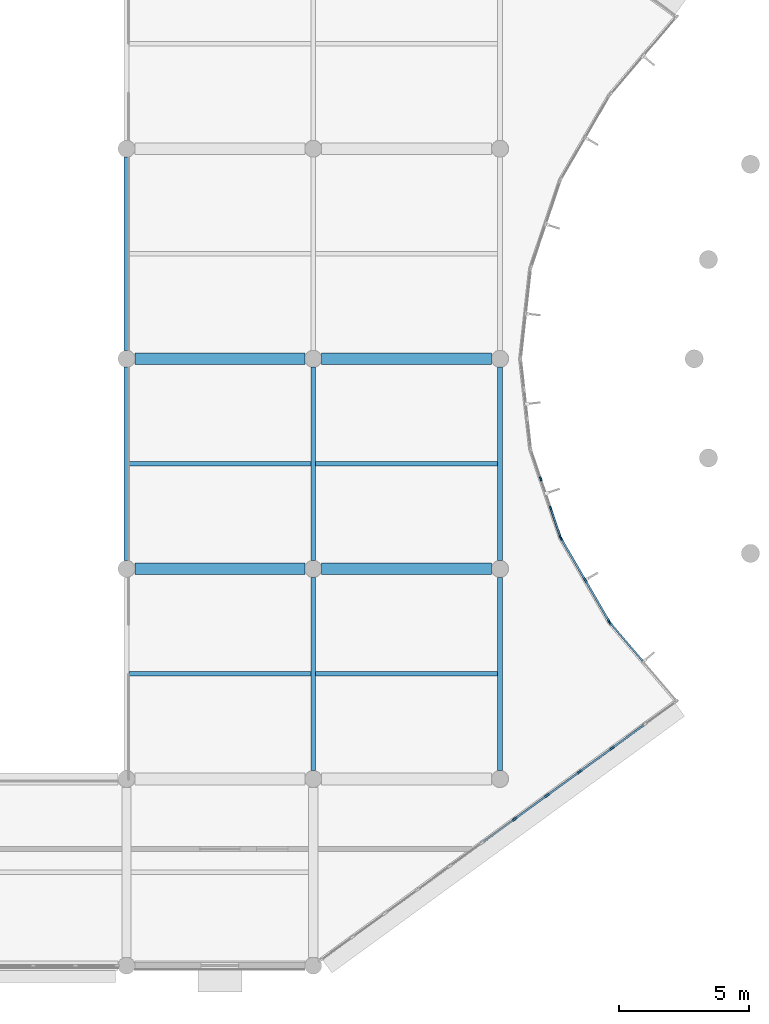
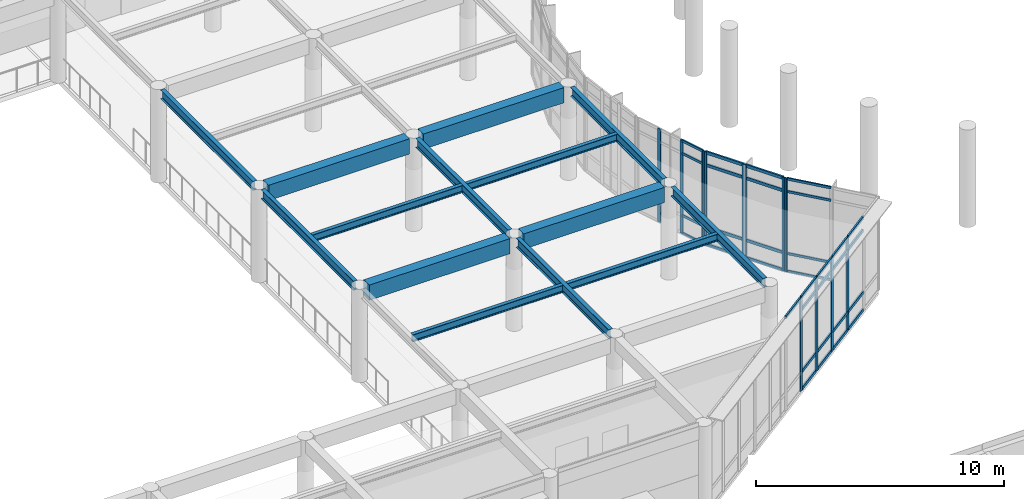
# One storey, part 9 of 92: 44 members, 14 beams, 4 elements without a shape of their own.
"""IFC4 building model written with IfcOpenShell, lengths in metres."""

from ifc_helpers import new_model, si_unit, direction, frame, origin, origin_2d, place, context, subcontext, project, spatial, rectangle, i_section, extrude, material, layer, layer_set, material_profile, profile_set, type_object, element, aggregate, save


model = new_model("IFC4")

# Units and contexts
model_context = context("Model", 3, precision=1e-05, world=origin(), true_north=direction((0.0, 1.0)))
body_context = subcontext(model_context, "Body", "Model", "MODEL_VIEW")
ifc_project = project(units=[si_unit("LENGTHUNIT", "METRE"), si_unit("AREAUNIT", "SQUARE_METRE"), si_unit("VOLUMEUNIT", "CUBIC_METRE"), si_unit("PLANEANGLEUNIT", "RADIAN"), si_unit("MASSUNIT", "GRAM", prefix="KILO")], contexts=[model_context])

# Site, building, storey
site_placement = place(None, origin())
site = spatial("IfcSite", under=ifc_project, at=site_placement, CompositionType="ELEMENT")
building_placement = place(site_placement, origin())
building = spatial("IfcBuilding", under=site, at=building_placement, Name="Namkhue Oval Health Centre", CompositionType="ELEMENT")
storey_placement = place(building_placement, frame((0.0, 0.0, 4.800048828125)))
storey = spatial("IfcBuildingStorey", under=building, at=storey_placement, Name="L01", CompositionType="ELEMENT", Elevation=4.800048828125)

# Curtain wall, member
ifc_material_1 = material(Name="Anodised aluminium EN AW-6063 T6", Category="aluminium")
ifc_layer_1 = layer(ifc_material_1, 0.159912109375)
ifc_layer_set_1 = layer_set([ifc_layer_1], Name="Anodised aluminium EN AW-6063 T6")
curtain_wall_type_1 = type_object("IfcCurtainWallType", Name="UNITISED CURTAIN WALL M1800", PredefinedType="NOTDEFINED", material=ifc_layer_set_1)
curtain_wall_1_placement = place(storey_placement, origin())
curtain_wall_1 = element("IfcCurtainWall", 1, at=curtain_wall_1_placement, inside=storey, type_object=curtain_wall_type_1, Name="Volume V1 L01 Unitised Curtain Wall 23", PredefinedType="NOTDEFINED")
ifc_material_profile_1 = material_profile(ifc_material_1, rectangle(XDim=0.06494140625, YDim=0.159912109375, at=origin_2d()), Name="ALU 65x160")
ifc_profile_set_1 = profile_set([ifc_material_profile_1], Name="Anodised aluminium EN AW-6063 T6")
member_type_1 = type_object("IfcMemberType", Name="CURTAIN WALL MULLION 65X160", PredefinedType="MULLION", material=ifc_profile_set_1)
member_1_placement = place(storey_placement, frame((69.050048828125, 49.21533203125, 0.0), z_axis=(0.0, 0.0, 1.0), x_axis=(-0.761004950887, -0.648746071067, 0.0)))
member_1 = element("IfcMember", 2, at=member_1_placement, type_object=member_type_1, Name="CW-05 mullion 3", PredefinedType="MULLION", context=body_context, shape_type="SweptSolid", body=[
    extrude(rectangle(XDim=0.06494140625, YDim=0.159912109375, at=origin_2d()), origin(), (0.0, 0.0, 1.0), 4.599853515625),
])

# Curtain wall, members
ifc_layer_2 = layer(ifc_material_1, 0.159912109375)
ifc_layer_set_2 = layer_set([ifc_layer_2], Name="Anodised aluminium EN AW-6063 T6")
curtain_wall_type_2 = type_object("IfcCurtainWallType", Name="UNITISED CURTAIN WALL M1200", PredefinedType="NOTDEFINED", material=ifc_layer_set_2)
curtain_wall_2_placement = place(storey_placement, origin())
curtain_wall_2 = element("IfcCurtainWall", 3, at=curtain_wall_2_placement, inside=storey, type_object=curtain_wall_type_2, Name="Volume V1 L01 Unitised Curtain Wall 25", PredefinedType="NOTDEFINED")
member_2_placement = place(storey_placement, frame((67.127685546875, 52.53076171875, 0.0), z_axis=(0.0, 0.0, 1.0), x_axis=(-0.947538547184, -0.319641520458, 0.0)))
member_2 = element("IfcMember", 4, at=member_2_placement, type_object=member_type_1, Name="CW-01 mullion 1", PredefinedType="MULLION", context=body_context, shape_type="SweptSolid", body=[
    extrude(rectangle(XDim=0.06494140625, YDim=0.159912109375, at=origin_2d()), origin(), (0.0, 0.0, 1.0), 4.599853515625),
])
member_3_placement = place(storey_placement, frame((66.75439453125, 53.637451171875, 0.0), z_axis=(0.0, 0.0, 1.0), x_axis=(-0.947538547184, -0.319641520458, 0.0)))
member_3 = element("IfcMember", 5, at=member_3_placement, type_object=member_type_1, Name="CW-01 mullion 2", PredefinedType="MULLION", context=body_context, shape_type="SweptSolid", body=[
    extrude(rectangle(XDim=0.06494140625, YDim=0.159912109375, at=origin_2d()), origin(), (0.0, 0.0, 1.0), 4.599853515625),
])
member_4_placement = place(storey_placement, frame((66.37060546875, 54.774658203125, 0.0), z_axis=(0.0, 0.0, 1.0), x_axis=(-0.947538547184, -0.319641520458, 0.0)))
member_4 = element("IfcMember", 6, at=member_4_placement, type_object=member_type_1, Name="CW-01 mullion 3", PredefinedType="MULLION", context=body_context, shape_type="SweptSolid", body=[
    extrude(rectangle(XDim=0.06494140625, YDim=0.159912109375, at=origin_2d()), origin(), (0.0, 0.0, 1.0), 4.599853515625),
])

ifc_layer_3 = layer(ifc_material_1, 0.159912109375)
ifc_layer_set_3 = layer_set([ifc_layer_3], Name="Anodised aluminium EN AW-6063 T6")
curtain_wall_type_3 = type_object("IfcCurtainWallType", Name="UNITISED CURTAIN WALL M1600", PredefinedType="NOTDEFINED", material=ifc_layer_set_3)
curtain_wall_3_placement = place(storey_placement, origin())
curtain_wall_3 = element("IfcCurtainWall", 7, at=curtain_wall_3_placement, inside=storey, type_object=curtain_wall_type_3, Name="Volume V1 L01 Unitised Curtain Wall 22", PredefinedType="NOTDEFINED")
ifc_material_profile_2 = material_profile(ifc_material_1, rectangle(XDim=0.074951171875, YDim=0.199951171875, at=origin_2d()), Name="ALU 75x200")
ifc_profile_set_2 = profile_set([ifc_material_profile_2], Name="Anodised aluminium EN AW-6063 T6")
member_type_2 = type_object("IfcMemberType", Name="CURTAIN WALL MULLION 75X200", PredefinedType="MULLION", material=ifc_profile_set_2)
member_5_placement = place(storey_placement, frame((65.369384765625, 41.65478515625, 0.0), z_axis=(0.0, 0.0, 1.0), x_axis=(-0.588476942894, 0.808513999682, 0.0)))
member_5 = element("IfcMember", 8, at=member_5_placement, type_object=member_type_2, Name="CW-04 mullion 7", PredefinedType="MULLION", context=body_context, shape_type="SweptSolid", body=[
    extrude(rectangle(XDim=0.074951171875, YDim=0.199951171875, at=origin_2d()), origin(), (0.0, 0.0, 1.0), 4.599853515625),
])
member_6_placement = place(storey_placement, frame((66.618896484375, 42.564453125, 0.0), z_axis=(0.0, 0.0, 1.0), x_axis=(-0.588476942894, 0.808513999682, 0.0)))
member_6 = element("IfcMember", 9, at=member_6_placement, type_object=member_type_2, Name="CW-04 mullion 8", PredefinedType="MULLION", context=body_context, shape_type="SweptSolid", body=[
    extrude(rectangle(XDim=0.074951171875, YDim=0.199951171875, at=origin_2d()), origin(), (0.0, 0.0, 1.0), 4.599853515625),
])
member_7_placement = place(storey_placement, frame((67.86865234375, 43.47412109375, 0.0), z_axis=(0.0, 0.0, 1.0), x_axis=(-0.588476942894, 0.808513999682, 0.0)))
member_7 = element("IfcMember", 10, at=member_7_placement, type_object=member_type_2, Name="CW-04 mullion 9", PredefinedType="MULLION", context=body_context, shape_type="SweptSolid", body=[
    extrude(rectangle(XDim=0.074951171875, YDim=0.199951171875, at=origin_2d()), origin(), (0.0, 0.0, 1.0), 4.599853515625),
])
member_8_placement = place(storey_placement, frame((69.118408203125, 44.3837890625, 0.0), z_axis=(0.0, 0.0, 1.0), x_axis=(-0.588476942894, 0.808513999682, 0.0)))
member_8 = element("IfcMember", 11, at=member_8_placement, type_object=member_type_2, Name="CW-04 mullion 10", PredefinedType="MULLION", context=body_context, shape_type="SweptSolid", body=[
    extrude(rectangle(XDim=0.074951171875, YDim=0.199951171875, at=origin_2d()), origin(), (0.0, 0.0, 1.0), 4.599853515625),
])

ifc_layer_4 = layer(ifc_material_1, 0.159912109375)
ifc_layer_set_4 = layer_set([ifc_layer_4], Name="Anodised aluminium EN AW-6063 T6")
curtain_wall_type_4 = type_object("IfcCurtainWallType", Name="UNITISED CURTAIN WALL M2000", PredefinedType="NOTDEFINED", material=ifc_layer_set_4)
curtain_wall_4_placement = place(storey_placement, origin())
curtain_wall_4 = element("IfcCurtainWall", 12, at=curtain_wall_4_placement, inside=storey, type_object=curtain_wall_type_4, Name="Volume V1 L01 Unitised Curtain Wall 24", PredefinedType="NOTDEFINED")
member_9_placement = place(storey_placement, frame((69.01025390625, 49.2724609375, 0.0), z_axis=(0.0, 0.0, 1.0), x_axis=(-0.865008156752, -0.501757798896, 0.0)))
member_9 = element("IfcMember", 13, at=member_9_placement, type_object=member_type_2, Name="CW-06 mullion 1", PredefinedType="MULLION", context=body_context, shape_type="SweptSolid", body=[
    extrude(rectangle(XDim=0.074951171875, YDim=0.199951171875, at=origin_2d()), origin(), (0.0, 0.0, 1.0), 4.599853515625),
])
member_10_placement = place(storey_placement, frame((68.08349609375, 50.8701171875, 0.0), z_axis=(0.0, 0.0, 1.0), x_axis=(-0.865008156752, -0.501757798896, 0.0)))
member_10 = element("IfcMember", 14, at=member_10_placement, type_object=member_type_2, Name="CW-06 mullion 2", PredefinedType="MULLION", context=body_context, shape_type="SweptSolid", body=[
    extrude(rectangle(XDim=0.074951171875, YDim=0.199951171875, at=origin_2d()), origin(), (0.0, 0.0, 1.0), 4.599853515625),
])
member_11_placement = place(storey_placement, frame((67.15673828125, 52.467529296875, 0.0), z_axis=(0.0, 0.0, 1.0), x_axis=(-0.865008156752, -0.501757798896, 0.0)))
member_11 = element("IfcMember", 15, at=member_11_placement, type_object=member_type_2, Name="CW-06 mullion 3", PredefinedType="MULLION", context=body_context, shape_type="SweptSolid", body=[
    extrude(rectangle(XDim=0.074951171875, YDim=0.199951171875, at=origin_2d()), origin(), (0.0, 0.0, 1.0), 4.599853515625),
])

# Member
ifc_material_profile_3 = material_profile(ifc_material_1, rectangle(XDim=0.06494140625, YDim=0.1201171875, at=origin_2d()), Name="ALU 65x120")
ifc_profile_set_3 = profile_set([ifc_material_profile_3], Name="Anodised aluminium EN AW-6063 T6")
member_type_3 = type_object("IfcMemberType", Name="CURTAIN WALL TRANSOM 65X120", PredefinedType="USERDEFINED", material=ifc_profile_set_3)
member_12_placement = place(storey_placement, frame((70.302490234375, 47.746337890625, 0.032470703125), z_axis=(-0.64878669609, 0.760970316751, 0.0), x_axis=(-0.760970316751, -0.64878669609, 0.0)))
member_12 = element("IfcMember", 16, at=member_12_placement, type_object=member_type_3, Name="CW-05 transom 2.1", ObjectType="TRANSOM", PredefinedType="USERDEFINED", context=body_context, shape_type="SweptSolid", body=[
    extrude(rectangle(XDim=0.06494140625, YDim=0.1201171875, at=origin_2d()), origin(), (0.0, 0.0, 1.0), 1.897705078125),
])

member_13_placement = place(storey_placement, frame((70.302490234375, 47.746337890625, 0.89990234375), z_axis=(-0.64878669609, 0.760970316751, 0.0), x_axis=(-0.760970316751, -0.64878669609, 0.0)))
member_13 = element("IfcMember", 17, at=member_13_placement, type_object=member_type_3, Name="CW-05 transom 2.2", ObjectType="TRANSOM", PredefinedType="USERDEFINED", context=body_context, shape_type="SweptSolid", body=[
    extrude(rectangle(XDim=0.06494140625, YDim=0.1201171875, at=origin_2d()), origin(), (0.0, 0.0, 1.0), 1.897705078125),
])

member_14_placement = place(storey_placement, frame((70.302490234375, 47.746337890625, 3.949951171875), z_axis=(-0.64878669609, 0.760970316751, 0.0), x_axis=(-0.760970316751, -0.64878669609, 0.0)))
member_14 = element("IfcMember", 18, at=member_14_placement, type_object=member_type_3, Name="CW-05 transom 2.3", ObjectType="TRANSOM", PredefinedType="USERDEFINED", context=body_context, shape_type="SweptSolid", body=[
    extrude(rectangle(XDim=0.06494140625, YDim=0.1201171875, at=origin_2d()), origin(), (0.0, 0.0, 1.0), 1.897705078125),
])

member_15_placement = place(storey_placement, frame((70.302490234375, 47.746337890625, 4.5673828125), z_axis=(-0.64878669609, 0.760970316751, 0.0), x_axis=(-0.760970316751, -0.64878669609, 0.0)))
member_15 = element("IfcMember", 19, at=member_15_placement, type_object=member_type_3, Name="CW-05 transom 2.4", ObjectType="TRANSOM", PredefinedType="USERDEFINED", context=body_context, shape_type="SweptSolid", body=[
    extrude(rectangle(XDim=0.06494140625, YDim=0.1201171875, at=origin_2d()), origin(), (0.0, 0.0, 1.0), 1.897705078125),
])

aggregate(curtain_wall_1, [member_1, member_12, member_13, member_14, member_15])

member_16_placement = place(storey_placement, frame((67.1171875, 52.5615234375, 0.032470703125), z_axis=(-0.319679269344, 0.947525812182, 0.0), x_axis=(-0.947525812182, -0.319679269344, 0.0)))
member_16 = element("IfcMember", 20, at=member_16_placement, type_object=member_type_3, Name="CW-01 transom 1.1", ObjectType="TRANSOM", PredefinedType="USERDEFINED", context=body_context, shape_type="SweptSolid", body=[
    extrude(rectangle(XDim=0.06494140625, YDim=0.1201171875, at=origin_2d()), origin(), (0.0, 0.0, 1.0), 1.102783203125),
])

member_17_placement = place(storey_placement, frame((67.1171875, 52.5615234375, 0.89990234375), z_axis=(-0.319679269344, 0.947525812182, 0.0), x_axis=(-0.947525812182, -0.319679269344, 0.0)))
member_17 = element("IfcMember", 21, at=member_17_placement, type_object=member_type_3, Name="CW-01 transom 1.2", ObjectType="TRANSOM", PredefinedType="USERDEFINED", context=body_context, shape_type="SweptSolid", body=[
    extrude(rectangle(XDim=0.06494140625, YDim=0.1201171875, at=origin_2d()), origin(), (0.0, 0.0, 1.0), 1.102783203125),
])

member_18_placement = place(storey_placement, frame((67.1171875, 52.5615234375, 3.949951171875), z_axis=(-0.319679269344, 0.947525812182, 0.0), x_axis=(-0.947525812182, -0.319679269344, 0.0)))
member_18 = element("IfcMember", 22, at=member_18_placement, type_object=member_type_3, Name="CW-01 transom 1.3", ObjectType="TRANSOM", PredefinedType="USERDEFINED", context=body_context, shape_type="SweptSolid", body=[
    extrude(rectangle(XDim=0.06494140625, YDim=0.1201171875, at=origin_2d()), origin(), (0.0, 0.0, 1.0), 1.102783203125),
])

member_19_placement = place(storey_placement, frame((67.1171875, 52.5615234375, 4.5673828125), z_axis=(-0.319679269344, 0.947525812182, 0.0), x_axis=(-0.947525812182, -0.319679269344, 0.0)))
member_19 = element("IfcMember", 23, at=member_19_placement, type_object=member_type_3, Name="CW-01 transom 1.4", ObjectType="TRANSOM", PredefinedType="USERDEFINED", context=body_context, shape_type="SweptSolid", body=[
    extrude(rectangle(XDim=0.06494140625, YDim=0.1201171875, at=origin_2d()), origin(), (0.0, 0.0, 1.0), 1.102783203125),
])

aggregate(curtain_wall_2, [member_2, member_3, member_4, member_16, member_17, member_18, member_19])

ifc_material_profile_4 = material_profile(ifc_material_1, rectangle(XDim=0.074951171875, YDim=0.14990234375, at=origin_2d()), Name="ALU 75x150")
ifc_profile_set_4 = profile_set([ifc_material_profile_4], Name="Anodised aluminium EN AW-6063 T6")
member_type_4 = type_object("IfcMemberType", Name="CURTAIN WALL TRANSOM 75X150", PredefinedType="USERDEFINED", material=ifc_profile_set_4)
member_20_placement = place(storey_placement, frame((64.14990234375, 40.767333984375, 4.5625), z_axis=(0.808484747143, 0.588517131134, 0.0), x_axis=(-0.588517131134, 0.808484747143, 0.0)))
member_20 = element("IfcMember", 24, at=member_20_placement, type_object=member_type_4, Name="CW-04 transom 6.4", ObjectType="TRANSOM", PredefinedType="USERDEFINED", context=body_context, shape_type="SweptSolid", body=[
    extrude(rectangle(XDim=0.074951171875, YDim=0.14990234375, at=origin_2d()), origin(), (0.0, 0.0, 1.0), 1.470703125),
])

member_21_placement = place(storey_placement, frame((65.399658203125, 41.677001953125, 0.037353515625), z_axis=(0.808484747143, 0.588517131134, 0.0), x_axis=(-0.588517131134, 0.808484747143, 0.0)))
member_21 = element("IfcMember", 25, at=member_21_placement, type_object=member_type_4, Name="CW-04 transom 7.1", ObjectType="TRANSOM", PredefinedType="USERDEFINED", context=body_context, shape_type="SweptSolid", body=[
    extrude(rectangle(XDim=0.074951171875, YDim=0.14990234375, at=origin_2d()), origin(), (0.0, 0.0, 1.0), 1.470703125),
])

member_22_placement = place(storey_placement, frame((65.399658203125, 41.677001953125, 0.89990234375), z_axis=(0.808484747143, 0.588517131134, 0.0), x_axis=(-0.588517131134, 0.808484747143, 0.0)))
member_22 = element("IfcMember", 26, at=member_22_placement, type_object=member_type_4, Name="CW-04 transom 7.2", ObjectType="TRANSOM", PredefinedType="USERDEFINED", context=body_context, shape_type="SweptSolid", body=[
    extrude(rectangle(XDim=0.074951171875, YDim=0.14990234375, at=origin_2d()), origin(), (0.0, 0.0, 1.0), 1.470703125),
])

member_23_placement = place(storey_placement, frame((65.399658203125, 41.677001953125, 3.949951171875), z_axis=(0.808484747143, 0.588517131134, 0.0), x_axis=(-0.588517131134, 0.808484747143, 0.0)))
member_23 = element("IfcMember", 27, at=member_23_placement, type_object=member_type_4, Name="CW-04 transom 7.3", ObjectType="TRANSOM", PredefinedType="USERDEFINED", context=body_context, shape_type="SweptSolid", body=[
    extrude(rectangle(XDim=0.074951171875, YDim=0.14990234375, at=origin_2d()), origin(), (0.0, 0.0, 1.0), 1.470703125),
])

member_24_placement = place(storey_placement, frame((65.399658203125, 41.677001953125, 4.5625), z_axis=(0.808484747143, 0.588517131134, 0.0), x_axis=(-0.588517131134, 0.808484747143, 0.0)))
member_24 = element("IfcMember", 28, at=member_24_placement, type_object=member_type_4, Name="CW-04 transom 7.4", ObjectType="TRANSOM", PredefinedType="USERDEFINED", context=body_context, shape_type="SweptSolid", body=[
    extrude(rectangle(XDim=0.074951171875, YDim=0.14990234375, at=origin_2d()), origin(), (0.0, 0.0, 1.0), 1.470703125),
])

member_25_placement = place(storey_placement, frame((66.6494140625, 42.586669921875, 0.037353515625), z_axis=(0.808484747143, 0.588517131134, 0.0), x_axis=(-0.588517131134, 0.808484747143, 0.0)))
member_25 = element("IfcMember", 29, at=member_25_placement, type_object=member_type_4, Name="CW-04 transom 8.1", ObjectType="TRANSOM", PredefinedType="USERDEFINED", context=body_context, shape_type="SweptSolid", body=[
    extrude(rectangle(XDim=0.074951171875, YDim=0.14990234375, at=origin_2d()), origin(), (0.0, 0.0, 1.0), 1.470703125),
])

member_26_placement = place(storey_placement, frame((66.6494140625, 42.586669921875, 0.89990234375), z_axis=(0.808484747143, 0.588517131134, 0.0), x_axis=(-0.588517131134, 0.808484747143, 0.0)))
member_26 = element("IfcMember", 30, at=member_26_placement, type_object=member_type_4, Name="CW-04 transom 8.2", ObjectType="TRANSOM", PredefinedType="USERDEFINED", context=body_context, shape_type="SweptSolid", body=[
    extrude(rectangle(XDim=0.074951171875, YDim=0.14990234375, at=origin_2d()), origin(), (0.0, 0.0, 1.0), 1.470703125),
])

member_27_placement = place(storey_placement, frame((66.6494140625, 42.586669921875, 3.949951171875), z_axis=(0.808484747143, 0.588517131134, 0.0), x_axis=(-0.588517131134, 0.808484747143, 0.0)))
member_27 = element("IfcMember", 31, at=member_27_placement, type_object=member_type_4, Name="CW-04 transom 8.3", ObjectType="TRANSOM", PredefinedType="USERDEFINED", context=body_context, shape_type="SweptSolid", body=[
    extrude(rectangle(XDim=0.074951171875, YDim=0.14990234375, at=origin_2d()), origin(), (0.0, 0.0, 1.0), 1.470703125),
])

member_28_placement = place(storey_placement, frame((66.6494140625, 42.586669921875, 4.5625), z_axis=(0.808484747143, 0.588517131134, 0.0), x_axis=(-0.588517131134, 0.808484747143, 0.0)))
member_28 = element("IfcMember", 32, at=member_28_placement, type_object=member_type_4, Name="CW-04 transom 8.4", ObjectType="TRANSOM", PredefinedType="USERDEFINED", context=body_context, shape_type="SweptSolid", body=[
    extrude(rectangle(XDim=0.074951171875, YDim=0.14990234375, at=origin_2d()), origin(), (0.0, 0.0, 1.0), 1.470703125),
])

member_29_placement = place(storey_placement, frame((67.899169921875, 43.49609375, 0.037353515625), z_axis=(0.808484747143, 0.588517131134, 0.0), x_axis=(-0.588517131134, 0.808484747143, 0.0)))
member_29 = element("IfcMember", 33, at=member_29_placement, type_object=member_type_4, Name="CW-04 transom 9.1", ObjectType="TRANSOM", PredefinedType="USERDEFINED", context=body_context, shape_type="SweptSolid", body=[
    extrude(rectangle(XDim=0.074951171875, YDim=0.14990234375, at=origin_2d()), origin(), (0.0, 0.0, 1.0), 1.470703125),
])

member_30_placement = place(storey_placement, frame((67.899169921875, 43.49609375, 0.89990234375), z_axis=(0.808484747143, 0.588517131134, 0.0), x_axis=(-0.588517131134, 0.808484747143, 0.0)))
member_30 = element("IfcMember", 34, at=member_30_placement, type_object=member_type_4, Name="CW-04 transom 9.2", ObjectType="TRANSOM", PredefinedType="USERDEFINED", context=body_context, shape_type="SweptSolid", body=[
    extrude(rectangle(XDim=0.074951171875, YDim=0.14990234375, at=origin_2d()), origin(), (0.0, 0.0, 1.0), 1.470703125),
])

member_31_placement = place(storey_placement, frame((67.899169921875, 43.49609375, 3.949951171875), z_axis=(0.808484747143, 0.588517131134, 0.0), x_axis=(-0.588517131134, 0.808484747143, 0.0)))
member_31 = element("IfcMember", 35, at=member_31_placement, type_object=member_type_4, Name="CW-04 transom 9.3", ObjectType="TRANSOM", PredefinedType="USERDEFINED", context=body_context, shape_type="SweptSolid", body=[
    extrude(rectangle(XDim=0.074951171875, YDim=0.14990234375, at=origin_2d()), origin(), (0.0, 0.0, 1.0), 1.470703125),
])

member_32_placement = place(storey_placement, frame((67.899169921875, 43.49609375, 4.5625), z_axis=(0.808484747143, 0.588517131134, 0.0), x_axis=(-0.588517131134, 0.808484747143, 0.0)))
member_32 = element("IfcMember", 36, at=member_32_placement, type_object=member_type_4, Name="CW-04 transom 9.4", ObjectType="TRANSOM", PredefinedType="USERDEFINED", context=body_context, shape_type="SweptSolid", body=[
    extrude(rectangle(XDim=0.074951171875, YDim=0.14990234375, at=origin_2d()), origin(), (0.0, 0.0, 1.0), 1.470703125),
])

member_33_placement = place(storey_placement, frame((69.14892578125, 44.40576171875, 0.037353515625), z_axis=(0.808484747143, 0.588517131134, 0.0), x_axis=(-0.588517131134, 0.808484747143, 0.0)))
member_33 = element("IfcMember", 37, at=member_33_placement, type_object=member_type_4, Name="CW-04 transom 10.1", ObjectType="TRANSOM", PredefinedType="USERDEFINED", context=body_context, shape_type="SweptSolid", body=[
    extrude(rectangle(XDim=0.074951171875, YDim=0.14990234375, at=origin_2d()), origin(), (0.0, 0.0, 1.0), 1.470703125),
])

member_34_placement = place(storey_placement, frame((69.14892578125, 44.40576171875, 0.89990234375), z_axis=(0.808484747143, 0.588517131134, 0.0), x_axis=(-0.588517131134, 0.808484747143, 0.0)))
member_34 = element("IfcMember", 38, at=member_34_placement, type_object=member_type_4, Name="CW-04 transom 10.2", ObjectType="TRANSOM", PredefinedType="USERDEFINED", context=body_context, shape_type="SweptSolid", body=[
    extrude(rectangle(XDim=0.074951171875, YDim=0.14990234375, at=origin_2d()), origin(), (0.0, 0.0, 1.0), 1.470703125),
])

member_35_placement = place(storey_placement, frame((69.14892578125, 44.40576171875, 3.949951171875), z_axis=(0.808484747143, 0.588517131134, 0.0), x_axis=(-0.588517131134, 0.808484747143, 0.0)))
member_35 = element("IfcMember", 39, at=member_35_placement, type_object=member_type_4, Name="CW-04 transom 10.3", ObjectType="TRANSOM", PredefinedType="USERDEFINED", context=body_context, shape_type="SweptSolid", body=[
    extrude(rectangle(XDim=0.074951171875, YDim=0.14990234375, at=origin_2d()), origin(), (0.0, 0.0, 1.0), 1.470703125),
])

member_36_placement = place(storey_placement, frame((69.14892578125, 44.40576171875, 4.5625), z_axis=(0.808484747143, 0.588517131134, 0.0), x_axis=(-0.588517131134, 0.808484747143, 0.0)))
member_36 = element("IfcMember", 40, at=member_36_placement, type_object=member_type_4, Name="CW-04 transom 10.4", ObjectType="TRANSOM", PredefinedType="USERDEFINED", context=body_context, shape_type="SweptSolid", body=[
    extrude(rectangle(XDim=0.074951171875, YDim=0.14990234375, at=origin_2d()), origin(), (0.0, 0.0, 1.0), 1.470703125),
])

aggregate(curtain_wall_3, [member_5, member_6, member_7, member_8, member_20, member_21, member_22, member_23, member_24, member_25, member_26, member_27, member_28, member_29, member_30, member_31, member_32, member_33, member_34, member_35, member_36])

member_37_placement = place(storey_placement, frame((68.991455078125, 49.304931640625, 0.037353515625), z_axis=(-0.501796442361, 0.864985740018, 0.0), x_axis=(-0.864985740018, -0.501796442361, 0.0)))
member_37 = element("IfcMember", 41, at=member_37_placement, type_object=member_type_4, Name="CW-06 transom 1.1", ObjectType="TRANSOM", PredefinedType="USERDEFINED", context=body_context, shape_type="SweptSolid", body=[
    extrude(rectangle(XDim=0.074951171875, YDim=0.14990234375, at=origin_2d()), origin(), (0.0, 0.0, 1.0), 1.77197265625),
])

member_38_placement = place(storey_placement, frame((68.991455078125, 49.304931640625, 0.89990234375), z_axis=(-0.501796442361, 0.864985740018, 0.0), x_axis=(-0.864985740018, -0.501796442361, 0.0)))
member_38 = element("IfcMember", 42, at=member_38_placement, type_object=member_type_4, Name="CW-06 transom 1.2", ObjectType="TRANSOM", PredefinedType="USERDEFINED", context=body_context, shape_type="SweptSolid", body=[
    extrude(rectangle(XDim=0.074951171875, YDim=0.14990234375, at=origin_2d()), origin(), (0.0, 0.0, 1.0), 1.77197265625),
])

member_39_placement = place(storey_placement, frame((68.991455078125, 49.304931640625, 3.949951171875), z_axis=(-0.501796442361, 0.864985740018, 0.0), x_axis=(-0.864985740018, -0.501796442361, 0.0)))
member_39 = element("IfcMember", 43, at=member_39_placement, type_object=member_type_4, Name="CW-06 transom 1.3", ObjectType="TRANSOM", PredefinedType="USERDEFINED", context=body_context, shape_type="SweptSolid", body=[
    extrude(rectangle(XDim=0.074951171875, YDim=0.14990234375, at=origin_2d()), origin(), (0.0, 0.0, 1.0), 1.77197265625),
])

member_40_placement = place(storey_placement, frame((68.991455078125, 49.304931640625, 4.5625), z_axis=(-0.501796442361, 0.864985740018, 0.0), x_axis=(-0.864985740018, -0.501796442361, 0.0)))
member_40 = element("IfcMember", 44, at=member_40_placement, type_object=member_type_4, Name="CW-06 transom 1.4", ObjectType="TRANSOM", PredefinedType="USERDEFINED", context=body_context, shape_type="SweptSolid", body=[
    extrude(rectangle(XDim=0.074951171875, YDim=0.14990234375, at=origin_2d()), origin(), (0.0, 0.0, 1.0), 1.77197265625),
])

member_41_placement = place(storey_placement, frame((68.064697265625, 50.90234375, 0.037353515625), z_axis=(-0.501796442361, 0.864985740018, 0.0), x_axis=(-0.864985740018, -0.501796442361, 0.0)))
member_41 = element("IfcMember", 45, at=member_41_placement, type_object=member_type_4, Name="CW-06 transom 2.1", ObjectType="TRANSOM", PredefinedType="USERDEFINED", context=body_context, shape_type="SweptSolid", body=[
    extrude(rectangle(XDim=0.074951171875, YDim=0.14990234375, at=origin_2d()), origin(), (0.0, 0.0, 1.0), 1.77197265625),
])

member_42_placement = place(storey_placement, frame((68.064697265625, 50.90234375, 0.89990234375), z_axis=(-0.501796442361, 0.864985740018, 0.0), x_axis=(-0.864985740018, -0.501796442361, 0.0)))
member_42 = element("IfcMember", 46, at=member_42_placement, type_object=member_type_4, Name="CW-06 transom 2.2", ObjectType="TRANSOM", PredefinedType="USERDEFINED", context=body_context, shape_type="SweptSolid", body=[
    extrude(rectangle(XDim=0.074951171875, YDim=0.14990234375, at=origin_2d()), origin(), (0.0, 0.0, 1.0), 1.77197265625),
])

member_43_placement = place(storey_placement, frame((68.064697265625, 50.90234375, 3.949951171875), z_axis=(-0.501796442361, 0.864985740018, 0.0), x_axis=(-0.864985740018, -0.501796442361, 0.0)))
member_43 = element("IfcMember", 47, at=member_43_placement, type_object=member_type_4, Name="CW-06 transom 2.3", ObjectType="TRANSOM", PredefinedType="USERDEFINED", context=body_context, shape_type="SweptSolid", body=[
    extrude(rectangle(XDim=0.074951171875, YDim=0.14990234375, at=origin_2d()), origin(), (0.0, 0.0, 1.0), 1.77197265625),
])

member_44_placement = place(storey_placement, frame((68.064697265625, 50.90234375, 4.5625), z_axis=(-0.501796442361, 0.864985740018, 0.0), x_axis=(-0.864985740018, -0.501796442361, 0.0)))
member_44 = element("IfcMember", 48, at=member_44_placement, type_object=member_type_4, Name="CW-06 transom 2.4", ObjectType="TRANSOM", PredefinedType="USERDEFINED", context=body_context, shape_type="SweptSolid", body=[
    extrude(rectangle(XDim=0.074951171875, YDim=0.14990234375, at=origin_2d()), origin(), (0.0, 0.0, 1.0), 1.77197265625),
])

aggregate(curtain_wall_4, [member_9, member_10, member_11, member_37, member_38, member_39, member_40, member_41, member_42, member_43, member_44])

# Beams
ifc_material_2 = material(Name="Structural steel EN 10025-2 S355JR (TCVN 5575:2024)", Category="steel")
ifc_material_profile_5 = material_profile(ifc_material_2, i_section(OverallWidth=0.18994140625, OverallDepth=0.449951171875, WebThickness=0.009521484375, FlangeThickness=0.0146484375, FilletRadius=0.02099609375, at=origin_2d()), Name="IPE 450")
ifc_profile_set_5 = profile_set([ifc_material_profile_5], Name="Structural steel EN 10025-2 S355JR (TCVN 5575:2024)")
beam_type_1 = type_object("IfcBeamType", Name="FLOOR BEAM STEEL IPE 450", PredefinedType="BEAM", material=ifc_profile_set_5)
for number, where, z_axis, x_axis, name in (
    (49, (50.39990234375, 51.625, 4.375), (0.0, 1.0, 0.0), (-1.0, 0.0, 0.0), "Volume V1 L02 Beam 8/H-J"),
    (50, (50.39990234375, 59.72509765625, 4.375), (0.0, 1.0, 0.0), (-1.0, 0.0, 0.0), "Volume V1 L02 Beam 8/J-K"),
):
    element("IfcBeam", number, at=place(storey_placement, frame(where, z_axis=z_axis, x_axis=x_axis)), inside=storey, type_object=beam_type_1, Name=name, PredefinedType="BEAM", context=body_context, shape_type="SweptSolid", body=[
        extrude(i_section(OverallWidth=0.18994140625, OverallDepth=0.449951171875, WebThickness=0.009521484375, FlangeThickness=0.0146484375, FilletRadius=0.02099609375, at=origin_2d()), origin(), (0.0, 0.0, 1.0), 7.449951171875),
    ])
beam_1_placement = place(storey_placement, frame((57.60009765625, 43.52490234375, 4.375), z_axis=(0.0, 1.0, 0.0), x_axis=(-1.0, 0.0, 0.0)))
element("IfcBeam", 51, at=beam_1_placement, inside=storey, type_object=beam_type_1, Name="Volume V1 L02 Beam 9/G-H", PredefinedType="BEAM", context=body_context, shape_type="SweptSolid", body=[
    extrude(i_section(OverallWidth=0.18994140625, OverallDepth=0.449951171875, WebThickness=0.009521484375, FlangeThickness=0.0146484375, FilletRadius=0.02099609375, at=origin_2d()), origin(), (0.0, 0.0, 1.0), 7.4501953125),
])
beam_2_placement = place(storey_placement, frame((57.60009765625, 51.625, 4.375), z_axis=(0.0, 1.0, 0.0), x_axis=(-1.0, 0.0, 0.0)))
element("IfcBeam", 52, at=beam_2_placement, inside=storey, type_object=beam_type_1, Name="Volume V1 L02 Beam 9/H-J", PredefinedType="BEAM", context=body_context, shape_type="SweptSolid", body=[
    extrude(i_section(OverallWidth=0.18994140625, OverallDepth=0.449951171875, WebThickness=0.009521484375, FlangeThickness=0.0146484375, FilletRadius=0.02099609375, at=origin_2d()), origin(), (0.0, 0.0, 1.0), 7.449951171875),
])
beam_3_placement = place(storey_placement, frame((64.800048828125, 43.52490234375, 4.375), z_axis=(0.0, 1.0, 0.0), x_axis=(-1.0, 0.0, 0.0)))
element("IfcBeam", 53, at=beam_3_placement, inside=storey, type_object=beam_type_1, Name="Volume V1 L02 Beam 10/G-H", PredefinedType="BEAM", context=body_context, shape_type="SweptSolid", body=[
    extrude(i_section(OverallWidth=0.18994140625, OverallDepth=0.449951171875, WebThickness=0.009521484375, FlangeThickness=0.0146484375, FilletRadius=0.02099609375, at=origin_2d()), origin(), (0.0, 0.0, 1.0), 7.4501953125),
])
beam_4_placement = place(storey_placement, frame((64.800048828125, 51.625, 4.375), z_axis=(0.0, 1.0, 0.0), x_axis=(-1.0, 0.0, 0.0)))
element("IfcBeam", 54, at=beam_4_placement, inside=storey, type_object=beam_type_1, Name="Volume V1 L02 Beam 10/H-J", PredefinedType="BEAM", context=body_context, shape_type="SweptSolid", body=[
    extrude(i_section(OverallWidth=0.18994140625, OverallDepth=0.449951171875, WebThickness=0.009521484375, FlangeThickness=0.0146484375, FilletRadius=0.02099609375, at=origin_2d()), origin(), (0.0, 0.0, 1.0), 7.449951171875),
])
ifc_material_3 = material(Name="Reinforced concrete C35/45 (TCVN B40)", Category="concrete")
ifc_material_profile_6 = material_profile(ifc_material_3, rectangle(XDim=0.449951171875, YDim=0.75, at=origin_2d()), Name="RC 450x750")
ifc_profile_set_6 = profile_set([ifc_material_profile_6], Name="Reinforced concrete C35/45 (TCVN B40)")
beam_type_2 = type_object("IfcBeamType", Name="PRIMARY GIRDER RC 450X750", PredefinedType="USERDEFINED", material=ifc_profile_set_6)
beam_5_placement = place(storey_placement, frame((50.72509765625, 51.300048828125, 4.224853515625), z_axis=(1.0, 0.0, 0.0), x_axis=(0.0, 1.0, 0.0)))
element("IfcBeam", 55, at=beam_5_placement, inside=storey, type_object=beam_type_2, Name="Volume V1 L02 Girder H/8-9", ObjectType="GIRDER", PredefinedType="USERDEFINED", context=body_context, shape_type="SweptSolid", body=[
    extrude(rectangle(XDim=0.449951171875, YDim=0.75, at=origin_2d()), origin(), (0.0, 0.0, 1.0), 6.5498046875),
])
beam_6_placement = place(storey_placement, frame((57.925048828125, 51.300048828125, 4.224853515625), z_axis=(1.0, 0.0, 0.0), x_axis=(0.0, 1.0, 0.0)))
element("IfcBeam", 56, at=beam_6_placement, inside=storey, type_object=beam_type_2, Name="Volume V1 L02 Girder H/9-10", ObjectType="GIRDER", PredefinedType="USERDEFINED", context=body_context, shape_type="SweptSolid", body=[
    extrude(rectangle(XDim=0.449951171875, YDim=0.75, at=origin_2d()), origin(), (0.0, 0.0, 1.0), 6.550048828125),
])
beam_7_placement = place(storey_placement, frame((50.72509765625, 59.39990234375, 4.224853515625), z_axis=(1.0, 0.0, 0.0), x_axis=(0.0, 1.0, 0.0)))
element("IfcBeam", 57, at=beam_7_placement, inside=storey, type_object=beam_type_2, Name="Volume V1 L02 Girder J/8-9", ObjectType="GIRDER", PredefinedType="USERDEFINED", context=body_context, shape_type="SweptSolid", body=[
    extrude(rectangle(XDim=0.449951171875, YDim=0.75, at=origin_2d()), origin(), (0.0, 0.0, 1.0), 6.5498046875),
])
beam_8_placement = place(storey_placement, frame((57.925048828125, 59.39990234375, 4.224853515625), z_axis=(1.0, 0.0, 0.0), x_axis=(0.0, 1.0, 0.0)))
element("IfcBeam", 58, at=beam_8_placement, inside=storey, type_object=beam_type_2, Name="Volume V1 L02 Girder J/9-10", ObjectType="GIRDER", PredefinedType="USERDEFINED", context=body_context, shape_type="SweptSolid", body=[
    extrude(rectangle(XDim=0.449951171875, YDim=0.75, at=origin_2d()), origin(), (0.0, 0.0, 1.0), 6.550048828125),
])
ifc_material_profile_7 = material_profile(ifc_material_2, i_section(OverallWidth=0.169921875, OverallDepth=0.360107421875, WebThickness=0.008056640625, FlangeThickness=0.0126953125, FilletRadius=0.01806640625, at=origin_2d()), Name="IPE 360")
ifc_profile_set_7 = profile_set([ifc_material_profile_7], Name="Structural steel EN 10025-2 S355JR (TCVN 5575:2024)")
beam_type_3 = type_object("IfcBeamType", Name="SECONDARY JOIST STEEL IPE 360", PredefinedType="JOIST", material=ifc_profile_set_7)
for number, where, z_axis, x_axis, name in (
    (59, (50.4951171875, 47.25, 4.419921875), (1.0, 0.0, 0.0), (0.0, 1.0, 0.0), "Volume V1 L02 Secondary Joist 8-9"),
    (60, (50.4951171875, 55.35009765625, 4.419921875), (1.0, 0.0, 0.0), (0.0, 1.0, 0.0), "Volume V1 L02 Secondary Joist 8-9"),
):
    element("IfcBeam", number, at=place(storey_placement, frame(where, z_axis=z_axis, x_axis=x_axis)), inside=storey, type_object=beam_type_3, Name=name, PredefinedType="JOIST", context=body_context, shape_type="SweptSolid", body=[
        extrude(i_section(OverallWidth=0.169921875, OverallDepth=0.360107421875, WebThickness=0.008056640625, FlangeThickness=0.0126953125, FilletRadius=0.01806640625, at=origin_2d()), origin(), (0.0, 0.0, 1.0), 7.009765625),
    ])
for number, where, z_axis, x_axis, name in (
    (61, (57.695068359375, 47.25, 4.419921875), (1.0, 0.0, 0.0), (0.0, 1.0, 0.0), "Volume V1 L02 Secondary Joist 9-10"),
    (62, (57.695068359375, 55.35009765625, 4.419921875), (1.0, 0.0, 0.0), (0.0, 1.0, 0.0), "Volume V1 L02 Secondary Joist 9-10"),
):
    element("IfcBeam", number, at=place(storey_placement, frame(where, z_axis=z_axis, x_axis=x_axis)), inside=storey, type_object=beam_type_3, Name=name, PredefinedType="JOIST", context=body_context, shape_type="SweptSolid", body=[
        extrude(i_section(OverallWidth=0.169921875, OverallDepth=0.360107421875, WebThickness=0.008056640625, FlangeThickness=0.0126953125, FilletRadius=0.01806640625, at=origin_2d()), origin(), (0.0, 0.0, 1.0), 7.010009765625),
    ])

save(model, "model.ifc")
